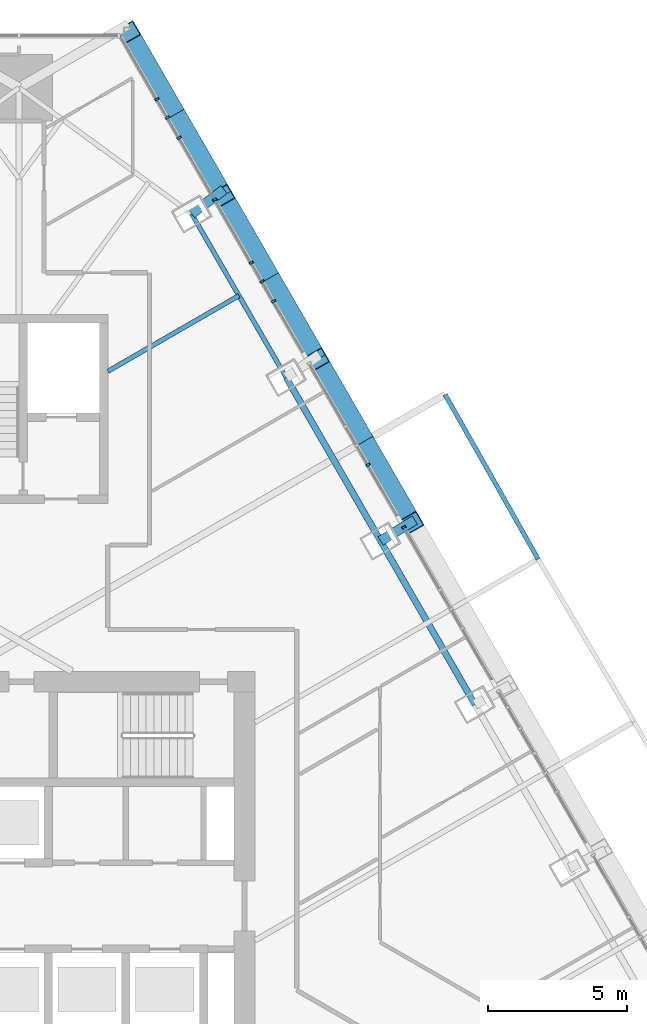
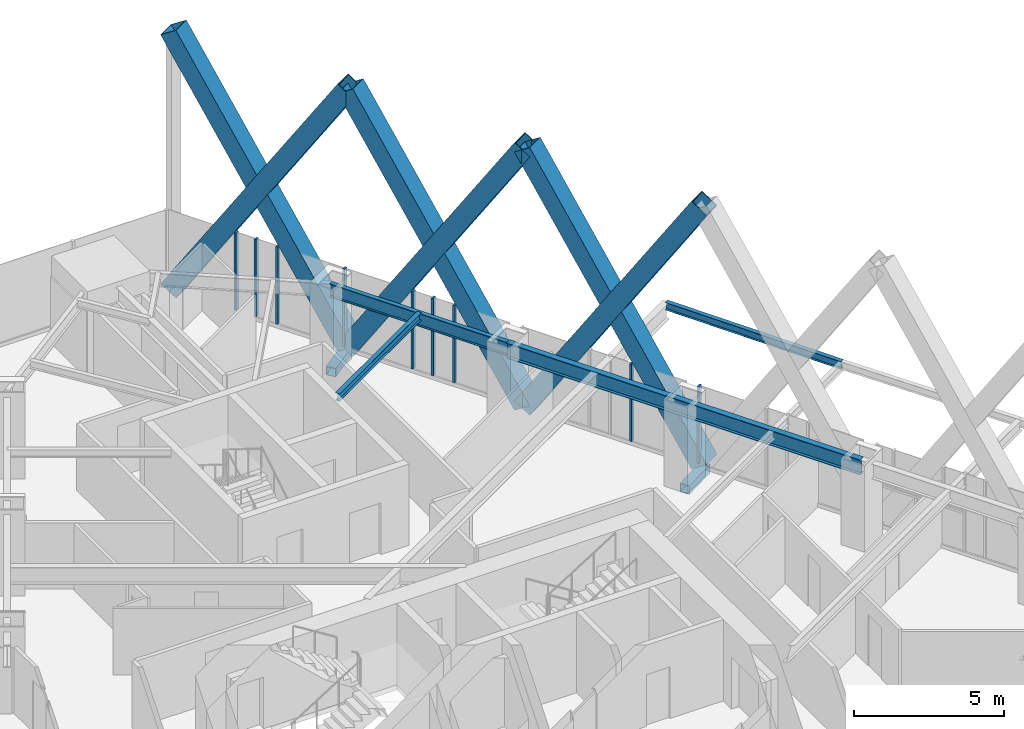
# One storey, part 12 of 24: 17 members, 4 beams, 1 element without a shape of its own.
"""IFC4 building model written with IfcOpenShell, lengths in metres."""

from ifc_helpers import new_model, si_unit, direction, frame, origin, origin_2d, place, context, subcontext, project, spatial, rectangle, hollow_rectangle, i_section, extrude, material, layer, layer_set, material_profile, profile_set, type_object, element, aggregate, save


model = new_model("IFC4")

# Units and contexts
model_context = context("Model", 3, precision=1e-05, world=origin(), true_north=direction((0.0, 1.0)))
body_context = subcontext(model_context, "Body", "Model", "MODEL_VIEW")
ifc_project = project(units=[si_unit("LENGTHUNIT", "METRE"), si_unit("AREAUNIT", "SQUARE_METRE"), si_unit("VOLUMEUNIT", "CUBIC_METRE"), si_unit("PLANEANGLEUNIT", "RADIAN"), si_unit("MASSUNIT", "GRAM", prefix="KILO")], contexts=[model_context])

# Site, building, storey
site_placement = place(None, origin())
site = spatial("IfcSite", under=ifc_project, at=site_placement, CompositionType="ELEMENT")
building_placement = place(site_placement, origin())
building = spatial("IfcBuilding", under=site, at=building_placement, Name="Firuza Gate Tower and Library", CompositionType="ELEMENT")
storey_placement = place(building_placement, frame((0.0, 0.0, 260.10009765625)))
storey = spatial("IfcBuildingStorey", under=building, at=storey_placement, Name="L61", CompositionType="ELEMENT", Elevation=260.10009765625)

# Members
ifc_material_1 = material(Name="Steel S355", Category="steel")
ifc_material_profile_1 = material_profile(ifc_material_1, hollow_rectangle(XDim=0.699951171875, YDim=0.699951171875, WallThickness=0.030029296875, at=origin_2d()))
ifc_profile_set_1 = profile_set([ifc_material_profile_1], Name="Steel S355")
member_type_1 = type_object("IfcMemberType", Name="BU700x700x30 Lattice brace", PredefinedType="BRACE", material=ifc_profile_set_1)
for number, where, z_axis, x_axis, name in (
    (1, (89.146484375, 87.093505859375, 0.0), (-0.271802769294, 0.470751389254, 0.839354742716), (-0.866013990052, -0.500019768644, 0.0), "Lattice brace E 15.5R"),
    (2, (85.746337890625, 92.982421875, 0.0), (0.271802769294, -0.470751389254, 0.839354742716), (0.866013990052, 0.500019768644, 0.0), "Lattice brace E 15.5L"),
    (3, (85.746337890625, 92.982421875, 0.0), (-0.2717846947, 0.470753886318, 0.839359195007), (-0.866029536736, -0.499992841449, 0.0), "Lattice brace E 15.6R"),
    (4, (82.346435546875, 98.871337890625, 0.0), (0.2717846947, -0.470753886318, 0.839359195007), (0.866029536736, 0.499992841449, 0.0), "Lattice brace E 15.6L"),
    (5, (82.346435546875, 98.871337890625, 0.0), (-0.271802769294, 0.470751389254, 0.839354742716), (-0.866013990052, -0.500019768644, 0.0), "Lattice brace E 15.7R"),
    (6, (78.9462890625, 104.76025390625, 0.0), (0.271802769294, -0.470751389254, 0.839354742716), (0.866013990052, 0.500019768644, 0.0), "Lattice brace E 15.7L"),
):
    element("IfcMember", number, at=place(storey_placement, frame(where, z_axis=z_axis, x_axis=x_axis)), inside=storey, type_object=member_type_1, Name=name, PredefinedType="BRACE", context=body_context, shape_type="SweptSolid", body=[
        extrude(hollow_rectangle(XDim=0.699951171875, YDim=0.699951171875, WallThickness=0.030029296875, at=origin_2d()), origin(), (0.0, 0.0, 1.0), 12.509521484375),
    ])

# Curtain wall, members
ifc_material_2 = material(Name="Aluminium 6063-T6", Category="aluminium")
ifc_layer = layer(ifc_material_2, 0.14990234375)
ifc_layer_set = layer_set([ifc_layer], Name="Unitised curtain wall, residences")
curtain_wall_type = type_object("IfcCurtainWallType", Name="Unitised curtain wall, residences", PredefinedType="NOTDEFINED", material=ifc_layer_set)
curtain_wall_placement = place(storey_placement, origin())
curtain_wall = element("IfcCurtainWall", 7, at=curtain_wall_placement, inside=storey, type_object=curtain_wall_type, Name="CW3 L61 E face", PredefinedType="NOTDEFINED")
ifc_material_3 = material(Name="Aluminium 6063-T6", Category="aluminium")
ifc_material_profile_2 = material_profile(ifc_material_3, rectangle(XDim=0.14990234375, YDim=0.080078125, at=origin_2d()))
ifc_profile_set_2 = profile_set([ifc_material_profile_2], Name="Aluminium 6063-T6")
member_type_2 = type_object("IfcMemberType", Name="Curtain wall mullion 80x150", PredefinedType="MULLION", material=ifc_profile_set_2)
member_1_placement = place(storey_placement, frame((88.86181640625, 86.936279296875, 0.14990234375), z_axis=(0.0, 0.0, 1.0), x_axis=(-0.866025403784, -0.5, 0.0)))
member_1 = element("IfcMember", 8, at=member_1_placement, type_object=member_type_2, Name="Mullion", PredefinedType="MULLION", context=body_context, shape_type="SweptSolid", body=[
    extrude(rectangle(XDim=0.14990234375, YDim=0.080078125, at=origin_2d()), origin(), (0.0, 0.0, 1.0), 3.14990234375),
])
member_2_placement = place(storey_placement, frame((83.752685546875, 95.785888671875, 0.14990234375), z_axis=(0.0, 0.0, 1.0), x_axis=(-0.866025403784, -0.5, 0.0)))
member_2 = element("IfcMember", 9, at=member_2_placement, type_object=member_type_2, Name="Mullion", PredefinedType="MULLION", context=body_context, shape_type="SweptSolid", body=[
    extrude(rectangle(XDim=0.14990234375, YDim=0.080078125, at=origin_2d()), origin(), (0.0, 0.0, 1.0), 3.14990234375),
])
member_3_placement = place(storey_placement, frame((82.049560546875, 98.735595703125, 0.14990234375), z_axis=(0.0, 0.0, 1.0), x_axis=(-0.866025403784, -0.5, 0.0)))
member_3 = element("IfcMember", 10, at=member_3_placement, type_object=member_type_2, Name="Mullion", PredefinedType="MULLION", context=body_context, shape_type="SweptSolid", body=[
    extrude(rectangle(XDim=0.14990234375, YDim=0.080078125, at=origin_2d()), origin(), (0.0, 0.0, 1.0), 3.14990234375),
])
member_4_placement = place(storey_placement, frame((80.346435546875, 101.685546875, 0.14990234375), z_axis=(0.0, 0.0, 1.0), x_axis=(-0.866025403784, -0.5, 0.0)))
member_4 = element("IfcMember", 11, at=member_4_placement, type_object=member_type_2, Name="Mullion", PredefinedType="MULLION", context=body_context, shape_type="SweptSolid", body=[
    extrude(rectangle(XDim=0.14990234375, YDim=0.080078125, at=origin_2d()), origin(), (0.0, 0.0, 1.0), 3.14990234375),
])
member_5_placement = place(storey_placement, frame((87.5654296875, 89.181884765625, 0.14990234375), z_axis=(0.0, 0.0, 1.0), x_axis=(-0.866025403784, -0.5, 0.0)))
member_5 = element("IfcMember", 12, at=member_5_placement, type_object=member_type_2, Name="Mullion", PredefinedType="MULLION", context=body_context, shape_type="SweptSolid", body=[
    extrude(rectangle(XDim=0.14990234375, YDim=0.080078125, at=origin_2d()), origin(), (0.0, 0.0, 1.0), 3.14990234375),
])
member_6_placement = place(storey_placement, frame((84.165283203125, 95.07080078125, 0.14990234375), z_axis=(0.0, 0.0, 1.0), x_axis=(-0.866025403784, -0.5, 0.0)))
member_6 = element("IfcMember", 13, at=member_6_placement, type_object=member_type_2, Name="Mullion", PredefinedType="MULLION", context=body_context, shape_type="SweptSolid", body=[
    extrude(rectangle(XDim=0.14990234375, YDim=0.080078125, at=origin_2d()), origin(), (0.0, 0.0, 1.0), 3.14990234375),
])
member_7_placement = place(storey_placement, frame((83.364501953125, 96.4580078125, 0.14990234375), z_axis=(0.0, 0.0, 1.0), x_axis=(-0.866025403784, -0.5, 0.0)))
member_7 = element("IfcMember", 14, at=member_7_placement, type_object=member_type_2, Name="Mullion", PredefinedType="MULLION", context=body_context, shape_type="SweptSolid", body=[
    extrude(rectangle(XDim=0.14990234375, YDim=0.080078125, at=origin_2d()), origin(), (0.0, 0.0, 1.0), 3.14990234375),
])
member_8_placement = place(storey_placement, frame((80.765380859375, 100.959716796875, 0.14990234375), z_axis=(0.0, 0.0, 1.0), x_axis=(-0.866025403784, -0.5, 0.0)))
member_8 = element("IfcMember", 15, at=member_8_placement, type_object=member_type_2, Name="Mullion", PredefinedType="MULLION", context=body_context, shape_type="SweptSolid", body=[
    extrude(rectangle(XDim=0.14990234375, YDim=0.080078125, at=origin_2d()), origin(), (0.0, 0.0, 1.0), 3.14990234375),
])
member_9_placement = place(storey_placement, frame((79.964599609375, 102.346923828125, 0.14990234375), z_axis=(0.0, 0.0, 1.0), x_axis=(-0.866025403784, -0.5, 0.0)))
member_9 = element("IfcMember", 16, at=member_9_placement, type_object=member_type_2, Name="Mullion", PredefinedType="MULLION", context=body_context, shape_type="SweptSolid", body=[
    extrude(rectangle(XDim=0.14990234375, YDim=0.080078125, at=origin_2d()), origin(), (0.0, 0.0, 1.0), 3.14990234375),
])
aggregate(curtain_wall, [member_1, member_2, member_3, member_4, member_5, member_6, member_7, member_8, member_9])

# Members
ifc_material_4 = material(Name="Steel S355", Category="steel")
ifc_material_profile_3 = material_profile(ifc_material_4, hollow_rectangle(XDim=0.355712890625, YDim=0.355712890625, WallThickness=0.014892578125, at=origin_2d()))
ifc_profile_set_3 = profile_set([ifc_material_profile_3], Name="Steel S355")
member_type_3 = type_object("IfcMemberType", Name="HSS356x356x16 Lattice node tie", PredefinedType="BRACE", material=ifc_profile_set_3)
member_10_placement = place(storey_placement, frame((81.220458984375, 98.221435546875, -0.320068359375), z_axis=(0.798184584477, 0.602412955624, 0.0), x_axis=(-0.602412955624, 0.798184584477, 0.0)))
element("IfcMember", 17, at=member_10_placement, inside=storey, type_object=member_type_3, Name="Lattice node tie E L61 368", PredefinedType="BRACE", context=body_context, shape_type="SweptSolid", body=[
    extrude(hollow_rectangle(XDim=0.355712890625, YDim=0.355712890625, WallThickness=0.014892578125, at=origin_2d()), origin(), (0.0, 0.0, 1.0), 1.455322265625),
])
member_11_placement = place(storey_placement, frame((88.0205078125, 86.443359375, -0.320068359375), z_axis=(0.853411279207, 0.521238130341, 0.0), x_axis=(-0.521238130341, 0.853411279207, 0.0)))
element("IfcMember", 18, at=member_11_placement, inside=storey, type_object=member_type_3, Name="Lattice node tie E L61 370", PredefinedType="BRACE", context=body_context, shape_type="SweptSolid", body=[
    extrude(hollow_rectangle(XDim=0.355712890625, YDim=0.355712890625, WallThickness=0.014892578125, at=origin_2d()), origin(), (0.0, 0.0, 1.0), 1.445068359375),
])

# Beams
ifc_material_5 = material(Name="Steel S355", Category="steel")
ifc_material_profile_4 = material_profile(ifc_material_5, i_section(OverallWidth=0.1650390625, OverallDepth=0.31005859375, WebThickness=0.005859375, FlangeThickness=0.009765625, at=origin_2d()))
ifc_profile_set_4 = profile_set([ifc_material_profile_4], Name="Steel S355")
beam_type_1 = type_object("IfcBeamType", Name="W310x39 Floor beam", PredefinedType="JOIST", material=ifc_profile_set_4)
beam_1_placement = place(storey_placement, frame((82.920654296875, 95.27685546875, 3.14501953125), z_axis=(-0.866037908964, -0.499978339768, 0.0), x_axis=(0.499978339768, -0.866037908964, 0.0)))
element("IfcBeam", 19, at=beam_1_placement, inside=storey, type_object=beam_type_1, Name="Floor beam L61 s54", PredefinedType="JOIST", context=body_context, shape_type="SweptSolid", body=[
    extrude(i_section(OverallWidth=0.1650390625, OverallDepth=0.31005859375, WebThickness=0.005859375, FlangeThickness=0.009765625, at=origin_2d()), origin(), (0.0, 0.0, 1.0), 5.450927734375),
])
beam_2_placement = place(storey_placement, frame((93.6943359375, 85.793212890625, 3.14501953125), z_axis=(-0.492143614326, 0.870514022218, 0.0), x_axis=(-0.870514022218, -0.492143614326, 0.0)))
element("IfcBeam", 20, at=beam_2_placement, inside=storey, type_object=beam_type_1, Name="Tray edge beam L61 s52-s53", PredefinedType="JOIST", context=body_context, shape_type="SweptSolid", body=[
    extrude(i_section(OverallWidth=0.1650390625, OverallDepth=0.31005859375, WebThickness=0.005859375, FlangeThickness=0.009765625, at=origin_2d()), origin(), (0.0, 0.0, 1.0), 6.80029296875),
])
ifc_material_6 = material(Name="Steel S355", Category="steel")
ifc_material_profile_5 = material_profile(ifc_material_6, i_section(OverallWidth=0.166015625, OverallDepth=0.534912109375, WebThickness=0.01025390625, FlangeThickness=0.0166015625, at=origin_2d()))
ifc_profile_set_5 = profile_set([ifc_material_profile_5], Name="Steel S355")
beam_type_2 = type_object("IfcBeamType", Name="W530x85 Edge beam", PredefinedType="SPANDREL", material=ifc_profile_set_5)
beam_3_placement = place(storey_placement, frame((84.62060546875, 92.332275390625, 3.032470703125), z_axis=(-0.500004222222, 0.866022966069, 0.0), x_axis=(-0.866022966069, -0.500004222222, 0.0)))
element("IfcBeam", 21, at=beam_3_placement, inside=storey, type_object=beam_type_2, Name="Edge beam L61 e54", PredefinedType="SPANDREL", context=body_context, shape_type="SweptSolid", body=[
    extrude(i_section(OverallWidth=0.166015625, OverallDepth=0.534912109375, WebThickness=0.01025390625, FlangeThickness=0.0166015625, at=origin_2d()), origin(), (0.0, 0.0, 1.0), 6.80029296875),
])
ifc_material_7 = material(Name="Steel S355", Category="steel")
ifc_material_profile_6 = material_profile(ifc_material_7, i_section(OverallWidth=0.22900390625, OverallDepth=0.612060546875, WebThickness=0.011962890625, FlangeThickness=0.01953125, at=origin_2d()))
ifc_profile_set_6 = profile_set([ifc_material_profile_6], Name="Steel S355")
beam_type_3 = type_object("IfcBeamType", Name="W610x125 Edge beam", PredefinedType="SPANDREL", material=ifc_profile_set_6)
beam_4_placement = place(storey_placement, frame((91.420654296875, 80.554443359375, 2.993896484375), z_axis=(-0.500006305228, 0.866021763429, 0.0), x_axis=(-0.866021763429, -0.500006305228, 0.0)))
element("IfcBeam", 22, at=beam_4_placement, inside=storey, type_object=beam_type_3, Name="Edge beam L61 e52", PredefinedType="SPANDREL", context=body_context, shape_type="SweptSolid", body=[
    extrude(i_section(OverallWidth=0.22900390625, OverallDepth=0.612060546875, WebThickness=0.011962890625, FlangeThickness=0.01953125, at=origin_2d()), origin(), (0.0, 0.0, 1.0), 13.599853515625),
])

save(model, "model.ifc")
